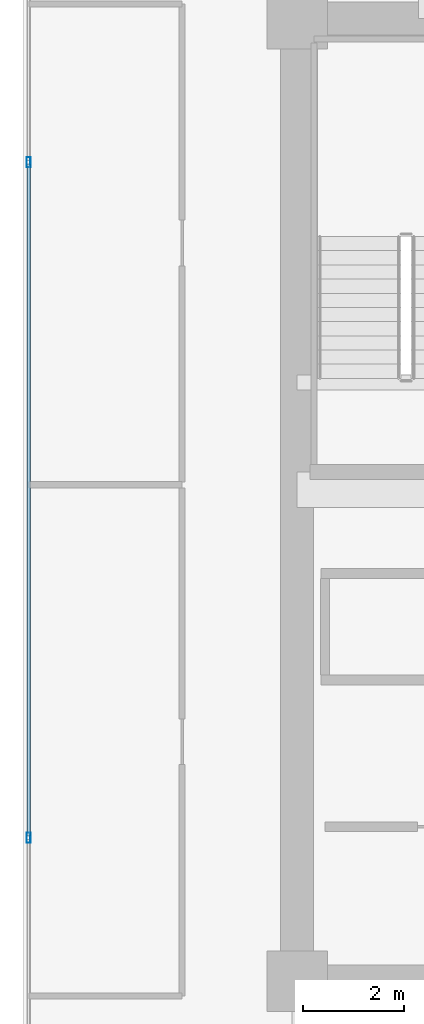
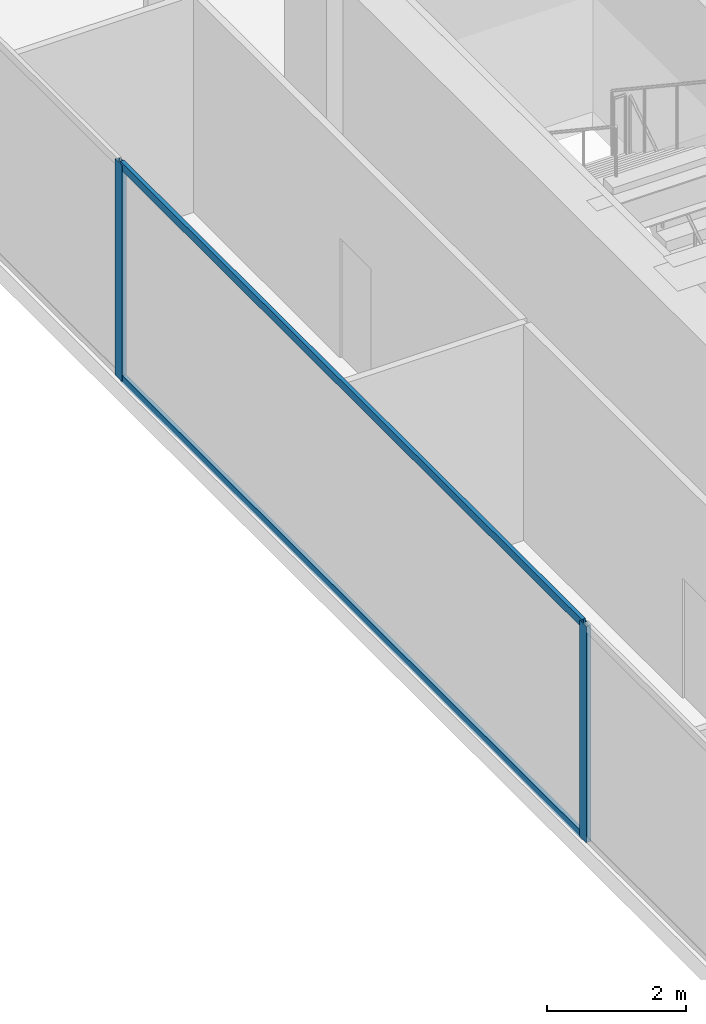
# One storey, part 6 of 30: 4 members, 1 element without a shape of its own.
"""IFC4 building model written with IfcOpenShell, lengths in metres."""

from ifc_helpers import new_model, si_unit, direction, frame, origin, origin_2d, place, context, subcontext, project, spatial, hollow_rectangle, extrude, source, transform, mapped, material, layer, layer_set, material_profile, profile_set, type_object, type_shapes, element, aggregate, save


model = new_model("IFC4")

# Units and contexts
model_context = context("Model", 3, precision=1e-05, world=origin(), true_north=direction((0.0, 1.0)))
body_context = subcontext(model_context, "Body", "Model", "MODEL_VIEW")
ifc_project = project(units=[si_unit("LENGTHUNIT", "METRE"), si_unit("AREAUNIT", "SQUARE_METRE"), si_unit("VOLUMEUNIT", "CUBIC_METRE"), si_unit("PLANEANGLEUNIT", "RADIAN"), si_unit("MASSUNIT", "GRAM", prefix="KILO")], contexts=[model_context])

# Site, building, storey
site_placement = place(None, origin())
site = spatial("IfcSite", under=ifc_project, at=site_placement, CompositionType="ELEMENT")
building_placement = place(site_placement, origin())
building = spatial("IfcBuilding", under=site, at=building_placement, Name="Haelvirn Gate Laboratories", CompositionType="ELEMENT")
storey_placement = place(building_placement, frame((0.0, 0.0, 146.10009765625)))
storey = spatial("IfcBuildingStorey", under=building, at=storey_placement, Name="L35", CompositionType="ELEMENT", Elevation=146.10009765625)

# Curtain wall, members
ifc_material_1 = material(Name="Anodised bronze unitised aluminium & triple low-E glass", Category="aluminium")
ifc_layer = layer(ifc_material_1, 0.179931640625, Name="CW-SYS-3")
ifc_layer_set = layer_set([ifc_layer], Name="Anodised bronze unitised aluminium & triple low-E glass")
curtain_wall_type = type_object("IfcCurtainWallType", Name="CW-SYS-3", PredefinedType="NOTDEFINED", material=ifc_layer_set)
curtain_wall_placement = place(storey_placement, origin())
curtain_wall = element("IfcCurtainWall", 1, at=curtain_wall_placement, inside=storey, type_object=curtain_wall_type, Name="L35 Unitised Curtain Wall CW-L35-P0-E17", PredefinedType="NOTDEFINED")
ifc_material_2 = material(Name="Extruded aluminium 6063-T6 (anodised bronze)", Category="aluminium")
ifc_material_profile_1 = material_profile(ifc_material_2, hollow_rectangle(XDim=0.06494140625, YDim=0.139892578125, WallThickness=0.00390625, at=origin_2d()), Name="CWT-140x65x4")
ifc_profile_set_1 = profile_set([ifc_material_profile_1], Name="Extruded aluminium 6063-T6 (anodised bronze)")
member_type_1 = type_object("IfcMemberType", Name="CWT-T140", PredefinedType="USERDEFINED", material=ifc_profile_set_1)
shared_shape_1 = source(origin(), body_context, "Body", "SweptSolid", [
    extrude(hollow_rectangle(XDim=0.06494140625, YDim=0.139892578125, WallThickness=0.00390625, at=origin_2d()), origin(), (0.0, 0.0, 1.0), 13.25830078125),
])
type_shapes(member_type_1, [shared_shape_1])
member_1_placement = place(storey_placement, frame((2.10009765625, 30.92919921875, 0.032470703125), z_axis=(0.0, -1.0, 0.0), x_axis=(1.0, 0.0, 0.0)))
member_1 = element("IfcMember", 2, at=member_1_placement, type_object=member_type_1, Name="CW3 transom 2.1", ObjectType="TRANSOM", PredefinedType="USERDEFINED", context=body_context, shape_type="MappedRepresentation", body=[
    mapped(shared_shape_1, transform((0.0, 0.0, 0.0), scale=1.0)),
])
member_2_placement = place(storey_placement, frame((2.10009765625, 30.92919921875, 3.75732421875), z_axis=(0.0, -1.0, 0.0), x_axis=(1.0, 0.0, 0.0)))
member_2 = element("IfcMember", 3, at=member_2_placement, type_object=member_type_1, Name="CW3 transom 2.2", ObjectType="TRANSOM", PredefinedType="USERDEFINED", context=body_context, shape_type="MappedRepresentation", body=[
    mapped(shared_shape_1, transform((0.0, 0.0, 0.0), scale=1.0)),
])
ifc_material_profile_2 = material_profile(ifc_material_2, hollow_rectangle(XDim=0.074951171875, YDim=0.199951171875, WallThickness=0.0048828125, at=origin_2d()), Name="CWM-200x75x5")
ifc_profile_set_2 = profile_set([ifc_material_profile_2], Name="Extruded aluminium 6063-T6 (anodised bronze)")
member_type_2 = type_object("IfcMemberType", Name="CWM-T200", PredefinedType="MULLION", material=ifc_profile_set_2)
shared_shape_2 = source(origin(), body_context, "Body", "SweptSolid", [
    extrude(hollow_rectangle(XDim=0.074951171875, YDim=0.199951171875, WallThickness=0.0048828125, at=origin_2d()), origin(), (0.0, 0.0, 1.0), 3.789794921875),
])
type_shapes(member_type_2, [shared_shape_2])
member_3_placement = place(storey_placement, frame((2.10009765625, 30.966552734375, 0.0), z_axis=(0.0, 0.0, 1.0), x_axis=(1.0, 0.0, 0.0)))
member_3 = element("IfcMember", 4, at=member_3_placement, type_object=member_type_2, Name="CW3 mullion 2", PredefinedType="MULLION", context=body_context, shape_type="MappedRepresentation", body=[
    mapped(shared_shape_2, transform((0.0, 0.0, 0.0), scale=1.0)),
])
member_4_placement = place(storey_placement, frame((2.10009765625, 17.63330078125, 0.0), z_axis=(0.0, 0.0, 1.0), x_axis=(1.0, 0.0, 0.0)))
member_4 = element("IfcMember", 5, at=member_4_placement, type_object=member_type_2, Name="CW3 mullion 3", PredefinedType="MULLION", context=body_context, shape_type="MappedRepresentation", body=[
    mapped(shared_shape_2, transform((0.0, 0.0, 0.0), scale=1.0)),
])
aggregate(curtain_wall, [member_3, member_4, member_1, member_2])

save(model, "model.ifc")
